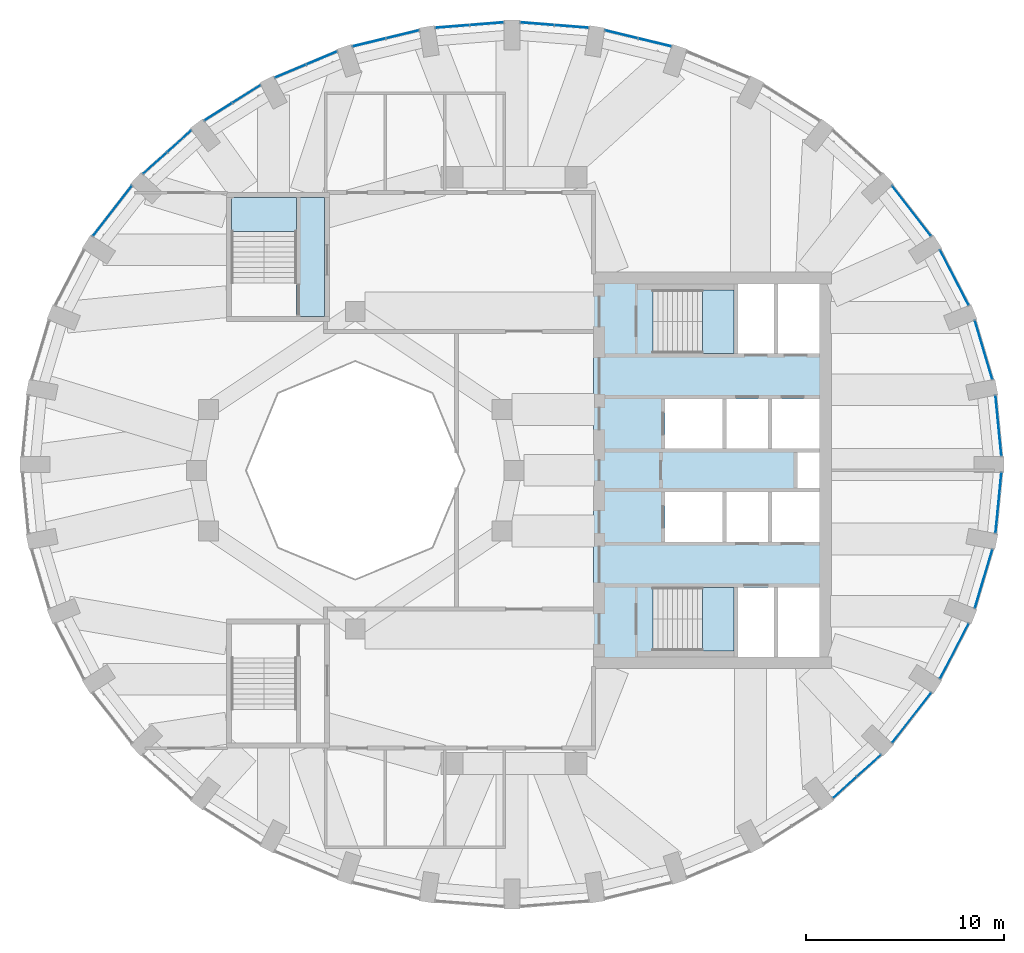
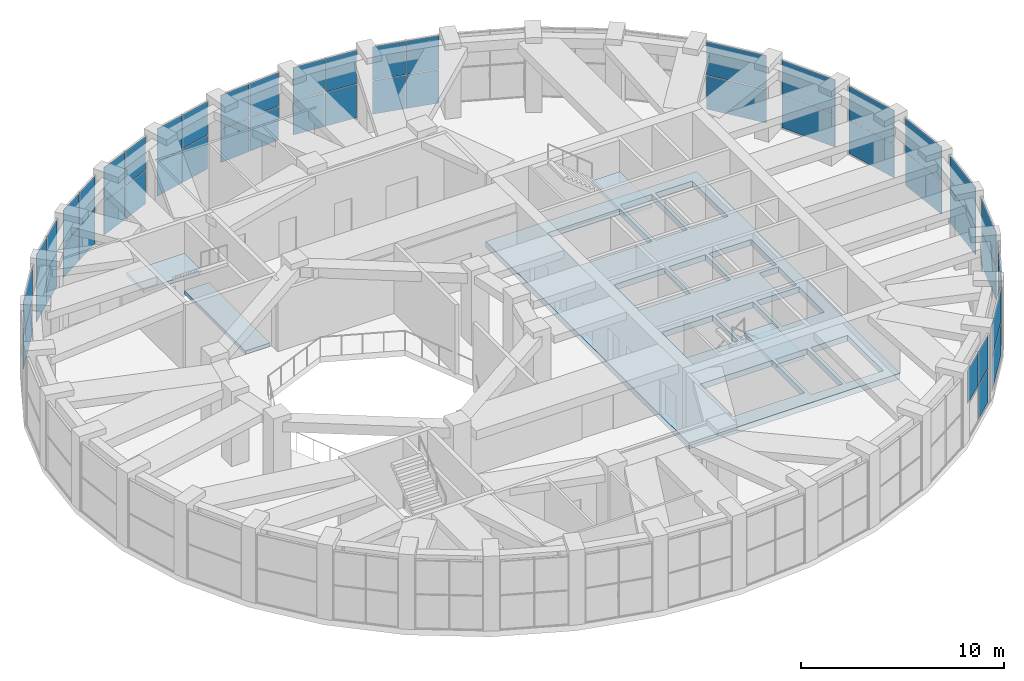
# One storey, part 12 of 17: 49 plates, 5 slabs, 20 elements without a shape of their own.
"""IFC4 building model written with IfcOpenShell, lengths in metres."""

from ifc_helpers import new_model, si_unit, direction, frame, origin, origin_2d, place, context, subcontext, project, spatial, polyline, rectangle, outline, extrude, material, layer, layer_set, type_object, element, aggregate, save


model = new_model("IFC4")

# Units and contexts
model_context = context("Model", 3, precision=1e-05, world=origin(), true_north=direction((0.0, 1.0)))
body_context = subcontext(model_context, "Body", "Model", "MODEL_VIEW")
ifc_project = project(units=[si_unit("LENGTHUNIT", "METRE"), si_unit("AREAUNIT", "SQUARE_METRE"), si_unit("VOLUMEUNIT", "CUBIC_METRE"), si_unit("PLANEANGLEUNIT", "RADIAN"), si_unit("MASSUNIT", "GRAM", prefix="KILO")], contexts=[model_context])

# Site, building, storey
site_placement = place(None, origin())
site = spatial("IfcSite", under=ifc_project, at=site_placement, CompositionType="ELEMENT")
building_placement = place(site_placement, origin())
building = spatial("IfcBuilding", under=site, at=building_placement, Name="Taillehof Tower", CompositionType="ELEMENT")
storey_placement = place(building_placement, frame((0.0, 0.0, 259.699951171875)))
storey = spatial("IfcBuildingStorey", under=building, at=storey_placement, Name="L74", CompositionType="ELEMENT", Elevation=259.699951171875)

# Curtain wall, plates
ifc_material_1 = material(Name="Aluminium curtain wall with Clear low-emissivity double glazing", Category="aluminium")
curtain_wall_type = type_object("IfcCurtainWallType", Name="Club lounge curtain wall", PredefinedType="USERDEFINED", material=ifc_material_1)
curtain_wall_1_placement = place(storey_placement, origin())
curtain_wall_1 = element("IfcCurtainWall", 1, at=curtain_wall_1_placement, inside=storey, type_object=curtain_wall_type, Name="Club lounge L74 bay 1", ObjectType="WINDOW WALL", PredefinedType="USERDEFINED")
ifc_material_2 = material(Name="Clear low-emissivity double glazing", Category="glass")
ifc_layer_1 = layer(ifc_material_2, 0.028076171875)
ifc_layer_set_1 = layer_set([ifc_layer_1], Name="Club lounge glass panel 28")
plate_type = type_object("IfcPlateType", Name="Club lounge glass panel 28", PredefinedType="CURTAIN_PANEL", material=ifc_layer_set_1)
plate_1_placement = place(storey_placement, frame((24.4208984375, 2.242919921875, 0.050048828125), z_axis=(0.0, 0.0, 1.0), x_axis=(-0.0967136211, 0.995312250248, 0.0)))
plate_1 = element("IfcPlate", 2, at=plate_1_placement, type_object=plate_type, Name="CT4E01 panel 1.1", PredefinedType="CURTAIN_PANEL", context=body_context, shape_type="SweptSolid", body=[
    extrude(rectangle(XDim=3.04052734375, YDim=0.028076171875, at=origin_2d()), origin(), (0.0, 0.0, 1.0), 2.0),
])
plate_2_placement = place(storey_placement, frame((24.4208984375, 2.242919921875, 2.10009765625), z_axis=(0.0, 0.0, 1.0), x_axis=(-0.0967136211, 0.995312250248, 0.0)))
plate_2 = element("IfcPlate", 3, at=plate_2_placement, type_object=plate_type, Name="CT4E01 panel 1.2", PredefinedType="CURTAIN_PANEL", context=body_context, shape_type="SweptSolid", body=[
    extrude(rectangle(XDim=3.04052734375, YDim=0.028076171875, at=origin_2d()), origin(), (0.0, 0.0, 1.0), 2.0),
])
aggregate(curtain_wall_1, [plate_1, plate_2])

curtain_wall_2_placement = place(storey_placement, origin())
curtain_wall_2 = element("IfcCurtainWall", 4, at=curtain_wall_2_placement, inside=storey, type_object=curtain_wall_type, Name="Club lounge L74 bay 2", ObjectType="WINDOW WALL", PredefinedType="USERDEFINED")
plate_3_placement = place(storey_placement, frame((23.671630859375, 6.068603515625, 0.050048828125), z_axis=(0.0, 0.0, 1.0), x_axis=(-0.285235558707, 0.958457446134, 0.0)))
plate_3 = element("IfcPlate", 5, at=plate_3_placement, type_object=plate_type, Name="CT4E02 panel 1.1", PredefinedType="CURTAIN_PANEL", context=body_context, shape_type="SweptSolid", body=[
    extrude(rectangle(XDim=3.06494140625, YDim=0.028076171875, at=origin_2d()), origin(), (0.0, 0.0, 1.0), 2.0),
])
plate_4_placement = place(storey_placement, frame((23.671630859375, 6.068603515625, 2.10009765625), z_axis=(0.0, 0.0, 1.0), x_axis=(-0.285235558707, 0.958457446134, 0.0)))
plate_4 = element("IfcPlate", 6, at=plate_4_placement, type_object=plate_type, Name="CT4E02 panel 1.2", PredefinedType="CURTAIN_PANEL", context=body_context, shape_type="SweptSolid", body=[
    extrude(rectangle(XDim=3.06494140625, YDim=0.028076171875, at=origin_2d()), origin(), (0.0, 0.0, 1.0), 2.0),
])
aggregate(curtain_wall_2, [plate_3, plate_4])

curtain_wall_3_placement = place(storey_placement, origin())
curtain_wall_3 = element("IfcCurtainWall", 7, at=curtain_wall_3_placement, inside=storey, type_object=curtain_wall_type, Name="Club lounge L74 bay 3", ObjectType="WINDOW WALL", PredefinedType="USERDEFINED")
plate_5_placement = place(storey_placement, frame((22.197509765625, 9.7158203125, 0.050048828125), z_axis=(0.0, 0.0, 1.0), x_axis=(-0.459891218474, 0.887975262702, 0.0)))
plate_5 = element("IfcPlate", 8, at=plate_5_placement, type_object=plate_type, Name="CT4E03 panel 1.1", PredefinedType="CURTAIN_PANEL", context=body_context, shape_type="SweptSolid", body=[
    extrude(rectangle(XDim=3.11083984375, YDim=0.028076171875, at=origin_2d()), origin(), (0.0, 0.0, 1.0), 2.0),
])
plate_6_placement = place(storey_placement, frame((22.197509765625, 9.7158203125, 2.10009765625), z_axis=(0.0, 0.0, 1.0), x_axis=(-0.459891218474, 0.887975262702, 0.0)))
plate_6 = element("IfcPlate", 9, at=plate_6_placement, type_object=plate_type, Name="CT4E03 panel 1.2", PredefinedType="CURTAIN_PANEL", context=body_context, shape_type="SweptSolid", body=[
    extrude(rectangle(XDim=3.11083984375, YDim=0.028076171875, at=origin_2d()), origin(), (0.0, 0.0, 1.0), 2.0),
])
aggregate(curtain_wall_3, [plate_5, plate_6])

curtain_wall_4_placement = place(storey_placement, origin())
curtain_wall_4 = element("IfcCurtainWall", 10, at=curtain_wall_4_placement, inside=storey, type_object=curtain_wall_type, Name="Club lounge L74 bay 4", ObjectType="WINDOW WALL", PredefinedType="USERDEFINED")
plate_7_placement = place(storey_placement, frame((20.045166015625, 13.07275390625, 0.050048828125), z_axis=(0.0, 0.0, 1.0), x_axis=(-0.613902818005, 0.789381612432, 0.0)))
plate_7 = element("IfcPlate", 11, at=plate_7_placement, type_object=plate_type, Name="CT4E04 panel 1.1", PredefinedType="CURTAIN_PANEL", context=body_context, shape_type="SweptSolid", body=[
    extrude(rectangle(XDim=3.171630859375, YDim=0.028076171875, at=origin_2d()), origin(), (0.0, 0.0, 1.0), 2.0),
])
plate_8_placement = place(storey_placement, frame((20.045166015625, 13.07275390625, 2.10009765625), z_axis=(0.0, 0.0, 1.0), x_axis=(-0.613902818005, 0.789381612432, 0.0)))
plate_8 = element("IfcPlate", 12, at=plate_8_placement, type_object=plate_type, Name="CT4E04 panel 1.2", PredefinedType="CURTAIN_PANEL", context=body_context, shape_type="SweptSolid", body=[
    extrude(rectangle(XDim=3.171630859375, YDim=0.028076171875, at=origin_2d()), origin(), (0.0, 0.0, 1.0), 2.0),
])
aggregate(curtain_wall_4, [plate_7, plate_8])

curtain_wall_5_placement = place(storey_placement, origin())
curtain_wall_5 = element("IfcCurtainWall", 13, at=curtain_wall_5_placement, inside=storey, type_object=curtain_wall_type, Name="Club lounge L74 bay 8", ObjectType="WINDOW WALL", PredefinedType="USERDEFINED")
plate_9_placement = place(storey_placement, frame((7.09619140625, 21.569091796875, 0.050048828125), z_axis=(0.0, 0.0, 1.0), x_axis=(-0.972112616855, 0.234514520129, 0.0)))
plate_9 = element("IfcPlate", 14, at=plate_9_placement, type_object=plate_type, Name="CT4E08 panel 1.1", PredefinedType="CURTAIN_PANEL", context=body_context, shape_type="SweptSolid", body=[
    extrude(rectangle(XDim=1.67919921875, YDim=0.028076171875, at=origin_2d()), origin(), (0.0, 0.0, 1.0), 2.0),
])
plate_10_placement = place(storey_placement, frame((7.09619140625, 21.569091796875, 2.10009765625), z_axis=(0.0, 0.0, 1.0), x_axis=(-0.972112616855, 0.234514520129, 0.0)))
plate_10 = element("IfcPlate", 15, at=plate_10_placement, type_object=plate_type, Name="CT4E08 panel 1.2", PredefinedType="CURTAIN_PANEL", context=body_context, shape_type="SweptSolid", body=[
    extrude(rectangle(XDim=1.67919921875, YDim=0.028076171875, at=origin_2d()), origin(), (0.0, 0.0, 1.0), 2.0),
])
plate_11_placement = place(storey_placement, frame((5.415283203125, 21.974609375, 0.050048828125), z_axis=(0.0, 0.0, 1.0), x_axis=(-0.972112616855, 0.234514520129, 0.0)))
plate_11 = element("IfcPlate", 16, at=plate_11_placement, type_object=plate_type, Name="CT4E08 panel 2.1", PredefinedType="CURTAIN_PANEL", context=body_context, shape_type="SweptSolid", body=[
    extrude(rectangle(XDim=1.67919921875, YDim=0.028076171875, at=origin_2d()), origin(), (0.0, 0.0, 1.0), 2.0),
])
plate_12_placement = place(storey_placement, frame((5.415283203125, 21.974609375, 2.10009765625), z_axis=(0.0, 0.0, 1.0), x_axis=(-0.972112616855, 0.234514520129, 0.0)))
plate_12 = element("IfcPlate", 17, at=plate_12_placement, type_object=plate_type, Name="CT4E08 panel 2.2", PredefinedType="CURTAIN_PANEL", context=body_context, shape_type="SweptSolid", body=[
    extrude(rectangle(XDim=1.67919921875, YDim=0.028076171875, at=origin_2d()), origin(), (0.0, 0.0, 1.0), 2.0),
])
aggregate(curtain_wall_5, [plate_9, plate_10, plate_11, plate_12])

curtain_wall_6_placement = place(storey_placement, origin())
curtain_wall_6 = element("IfcCurtainWall", 18, at=curtain_wall_6_placement, inside=storey, type_object=curtain_wall_type, Name="Club lounge L74 bay 9", ObjectType="WINDOW WALL", PredefinedType="USERDEFINED")
plate_13_placement = place(storey_placement, frame((2.907470703125, 22.372802734375, 0.050048828125), z_axis=(0.0, 0.0, 1.0), x_axis=(-0.996912140109, 0.078525059075, 0.0)))
plate_13 = element("IfcPlate", 19, at=plate_13_placement, type_object=plate_type, Name="CT4E09 panel 1.1", PredefinedType="CURTAIN_PANEL", context=body_context, shape_type="SweptSolid", body=[
    extrude(rectangle(XDim=1.6904296875, YDim=0.028076171875, at=origin_2d()), origin(), (0.0, 0.0, 1.0), 2.0),
])
plate_14_placement = place(storey_placement, frame((2.907470703125, 22.372802734375, 2.10009765625), z_axis=(0.0, 0.0, 1.0), x_axis=(-0.996912140109, 0.078525059075, 0.0)))
plate_14 = element("IfcPlate", 20, at=plate_14_placement, type_object=plate_type, Name="CT4E09 panel 1.2", PredefinedType="CURTAIN_PANEL", context=body_context, shape_type="SweptSolid", body=[
    extrude(rectangle(XDim=1.6904296875, YDim=0.028076171875, at=origin_2d()), origin(), (0.0, 0.0, 1.0), 2.0),
])
plate_15_placement = place(storey_placement, frame((1.172607421875, 22.509521484375, 0.050048828125), z_axis=(0.0, 0.0, 1.0), x_axis=(-0.996912140109, 0.078525059075, 0.0)))
plate_15 = element("IfcPlate", 21, at=plate_15_placement, type_object=plate_type, Name="CT4E09 panel 2.1", PredefinedType="CURTAIN_PANEL", context=body_context, shape_type="SweptSolid", body=[
    extrude(rectangle(XDim=1.6904296875, YDim=0.028076171875, at=origin_2d()), origin(), (0.0, 0.0, 1.0), 2.0),
])
plate_16_placement = place(storey_placement, frame((1.172607421875, 22.509521484375, 2.10009765625), z_axis=(0.0, 0.0, 1.0), x_axis=(-0.996912140109, 0.078525059075, 0.0)))
plate_16 = element("IfcPlate", 22, at=plate_16_placement, type_object=plate_type, Name="CT4E09 panel 2.2", PredefinedType="CURTAIN_PANEL", context=body_context, shape_type="SweptSolid", body=[
    extrude(rectangle(XDim=1.6904296875, YDim=0.028076171875, at=origin_2d()), origin(), (0.0, 0.0, 1.0), 2.0),
])
aggregate(curtain_wall_6, [plate_13, plate_14, plate_15, plate_16])

curtain_wall_7_placement = place(storey_placement, origin())
curtain_wall_7 = element("IfcCurtainWall", 23, at=curtain_wall_7_placement, inside=storey, type_object=curtain_wall_type, Name="Club lounge L74 bay 10", ObjectType="WINDOW WALL", PredefinedType="USERDEFINED")
plate_17_placement = place(storey_placement, frame((-1.37255859375, 22.509521484375, 0.050048828125), z_axis=(0.0, 0.0, 1.0), x_axis=(-0.996912140109, -0.078525059075, 0.0)))
plate_17 = element("IfcPlate", 24, at=plate_17_placement, type_object=plate_type, Name="CT4E10 panel 1.1", PredefinedType="CURTAIN_PANEL", context=body_context, shape_type="SweptSolid", body=[
    extrude(rectangle(XDim=1.6904296875, YDim=0.028076171875, at=origin_2d()), origin(), (0.0, 0.0, 1.0), 2.0),
])
plate_18_placement = place(storey_placement, frame((-1.37255859375, 22.509521484375, 2.10009765625), z_axis=(0.0, 0.0, 1.0), x_axis=(-0.996912140109, -0.078525059075, 0.0)))
plate_18 = element("IfcPlate", 25, at=plate_18_placement, type_object=plate_type, Name="CT4E10 panel 1.2", PredefinedType="CURTAIN_PANEL", context=body_context, shape_type="SweptSolid", body=[
    extrude(rectangle(XDim=1.6904296875, YDim=0.028076171875, at=origin_2d()), origin(), (0.0, 0.0, 1.0), 2.0),
])
plate_19_placement = place(storey_placement, frame((-3.107421875, 22.372802734375, 0.050048828125), z_axis=(0.0, 0.0, 1.0), x_axis=(-0.996912140109, -0.078525059075, 0.0)))
plate_19 = element("IfcPlate", 26, at=plate_19_placement, type_object=plate_type, Name="CT4E10 panel 2.1", PredefinedType="CURTAIN_PANEL", context=body_context, shape_type="SweptSolid", body=[
    extrude(rectangle(XDim=1.6904296875, YDim=0.028076171875, at=origin_2d()), origin(), (0.0, 0.0, 1.0), 2.0),
])
plate_20_placement = place(storey_placement, frame((-3.107421875, 22.372802734375, 2.10009765625), z_axis=(0.0, 0.0, 1.0), x_axis=(-0.996912140109, -0.078525059075, 0.0)))
plate_20 = element("IfcPlate", 27, at=plate_20_placement, type_object=plate_type, Name="CT4E10 panel 2.2", PredefinedType="CURTAIN_PANEL", context=body_context, shape_type="SweptSolid", body=[
    extrude(rectangle(XDim=1.6904296875, YDim=0.028076171875, at=origin_2d()), origin(), (0.0, 0.0, 1.0), 2.0),
])
aggregate(curtain_wall_7, [plate_17, plate_18, plate_19, plate_20])

curtain_wall_8_placement = place(storey_placement, origin())
curtain_wall_8 = element("IfcCurtainWall", 28, at=curtain_wall_8_placement, inside=storey, type_object=curtain_wall_type, Name="Club lounge L74 bay 11", ObjectType="WINDOW WALL", PredefinedType="USERDEFINED")
plate_21_placement = place(storey_placement, frame((-5.615234375, 21.974609375, 0.050048828125), z_axis=(0.0, 0.0, 1.0), x_axis=(-0.972112616855, -0.234514520129, 0.0)))
plate_21 = element("IfcPlate", 29, at=plate_21_placement, type_object=plate_type, Name="CT4E11 panel 1.1", PredefinedType="CURTAIN_PANEL", context=body_context, shape_type="SweptSolid", body=[
    extrude(rectangle(XDim=1.67919921875, YDim=0.028076171875, at=origin_2d()), origin(), (0.0, 0.0, 1.0), 2.0),
])
plate_22_placement = place(storey_placement, frame((-5.615234375, 21.974609375, 2.10009765625), z_axis=(0.0, 0.0, 1.0), x_axis=(-0.972112616855, -0.234514520129, 0.0)))
plate_22 = element("IfcPlate", 30, at=plate_22_placement, type_object=plate_type, Name="CT4E11 panel 1.2", PredefinedType="CURTAIN_PANEL", context=body_context, shape_type="SweptSolid", body=[
    extrude(rectangle(XDim=1.67919921875, YDim=0.028076171875, at=origin_2d()), origin(), (0.0, 0.0, 1.0), 2.0),
])
plate_23_placement = place(storey_placement, frame((-7.296142578125, 21.569091796875, 0.050048828125), z_axis=(0.0, 0.0, 1.0), x_axis=(-0.972112616855, -0.234514520129, 0.0)))
plate_23 = element("IfcPlate", 31, at=plate_23_placement, type_object=plate_type, Name="CT4E11 panel 2.1", PredefinedType="CURTAIN_PANEL", context=body_context, shape_type="SweptSolid", body=[
    extrude(rectangle(XDim=1.67919921875, YDim=0.028076171875, at=origin_2d()), origin(), (0.0, 0.0, 1.0), 2.0),
])
plate_24_placement = place(storey_placement, frame((-7.296142578125, 21.569091796875, 2.10009765625), z_axis=(0.0, 0.0, 1.0), x_axis=(-0.972112616855, -0.234514520129, 0.0)))
plate_24 = element("IfcPlate", 32, at=plate_24_placement, type_object=plate_type, Name="CT4E11 panel 2.2", PredefinedType="CURTAIN_PANEL", context=body_context, shape_type="SweptSolid", body=[
    extrude(rectangle(XDim=1.67919921875, YDim=0.028076171875, at=origin_2d()), origin(), (0.0, 0.0, 1.0), 2.0),
])
aggregate(curtain_wall_8, [plate_21, plate_22, plate_23, plate_24])

curtain_wall_9_placement = place(storey_placement, origin())
curtain_wall_9 = element("IfcCurtainWall", 33, at=curtain_wall_9_placement, inside=storey, type_object=curtain_wall_type, Name="Club lounge L74 bay 12", ObjectType="WINDOW WALL", PredefinedType="USERDEFINED")
plate_25_placement = place(storey_placement, frame((-9.693603515625, 20.783203125, 0.050048828125), z_axis=(0.0, 0.0, 1.0), x_axis=(-0.922037438233, -0.387100713636, 0.0)))
plate_25 = element("IfcPlate", 34, at=plate_25_placement, type_object=plate_type, Name="CT4E12 panel 1.1", PredefinedType="CURTAIN_PANEL", context=body_context, shape_type="SweptSolid", body=[
    extrude(rectangle(XDim=1.65771484375, YDim=0.028076171875, at=origin_2d()), origin(), (0.0, 0.0, 1.0), 2.0),
])
plate_26_placement = place(storey_placement, frame((-9.693603515625, 20.783203125, 2.10009765625), z_axis=(0.0, 0.0, 1.0), x_axis=(-0.922037438233, -0.387100713636, 0.0)))
plate_26 = element("IfcPlate", 35, at=plate_26_placement, type_object=plate_type, Name="CT4E12 panel 1.2", PredefinedType="CURTAIN_PANEL", context=body_context, shape_type="SweptSolid", body=[
    extrude(rectangle(XDim=1.65771484375, YDim=0.028076171875, at=origin_2d()), origin(), (0.0, 0.0, 1.0), 2.0),
])
plate_27_placement = place(storey_placement, frame((-11.26806640625, 20.122314453125, 0.050048828125), z_axis=(0.0, 0.0, 1.0), x_axis=(-0.922037438233, -0.387100713636, 0.0)))
plate_27 = element("IfcPlate", 36, at=plate_27_placement, type_object=plate_type, Name="CT4E12 panel 2.1", PredefinedType="CURTAIN_PANEL", context=body_context, shape_type="SweptSolid", body=[
    extrude(rectangle(XDim=1.65771484375, YDim=0.028076171875, at=origin_2d()), origin(), (0.0, 0.0, 1.0), 2.0),
])
plate_28_placement = place(storey_placement, frame((-11.26806640625, 20.122314453125, 2.10009765625), z_axis=(0.0, 0.0, 1.0), x_axis=(-0.922037438233, -0.387100713636, 0.0)))
plate_28 = element("IfcPlate", 37, at=plate_28_placement, type_object=plate_type, Name="CT4E12 panel 2.2", PredefinedType="CURTAIN_PANEL", context=body_context, shape_type="SweptSolid", body=[
    extrude(rectangle(XDim=1.65771484375, YDim=0.028076171875, at=origin_2d()), origin(), (0.0, 0.0, 1.0), 2.0),
])
aggregate(curtain_wall_9, [plate_25, plate_26, plate_27, plate_28])

curtain_wall_10_placement = place(storey_placement, origin())
curtain_wall_10 = element("IfcCurtainWall", 38, at=curtain_wall_10_placement, inside=storey, type_object=curtain_wall_type, Name="Club lounge L74 bay 13", ObjectType="WINDOW WALL", PredefinedType="USERDEFINED")
plate_29_placement = place(storey_placement, frame((-13.483642578125, 18.97021484375, 0.050048828125), z_axis=(0.0, 0.0, 1.0), x_axis=(-0.845929695916, -0.533294430468, 0.0)))
plate_29 = element("IfcPlate", 39, at=plate_29_placement, type_object=plate_type, Name="CT4E13 panel 1.1", PredefinedType="CURTAIN_PANEL", context=body_context, shape_type="SweptSolid", body=[
    extrude(rectangle(XDim=1.628662109375, YDim=0.028076171875, at=origin_2d()), origin(), (0.0, 0.0, 1.0), 2.0),
])
plate_30_placement = place(storey_placement, frame((-13.483642578125, 18.97021484375, 2.10009765625), z_axis=(0.0, 0.0, 1.0), x_axis=(-0.845929695916, -0.533294430468, 0.0)))
plate_30 = element("IfcPlate", 40, at=plate_30_placement, type_object=plate_type, Name="CT4E13 panel 1.2", PredefinedType="CURTAIN_PANEL", context=body_context, shape_type="SweptSolid", body=[
    extrude(rectangle(XDim=1.628662109375, YDim=0.028076171875, at=origin_2d()), origin(), (0.0, 0.0, 1.0), 2.0),
])
plate_31_placement = place(storey_placement, frame((-14.903564453125, 18.074951171875, 0.050048828125), z_axis=(0.0, 0.0, 1.0), x_axis=(-0.845929695916, -0.533294430468, 0.0)))
plate_31 = element("IfcPlate", 41, at=plate_31_placement, type_object=plate_type, Name="CT4E13 panel 2.1", PredefinedType="CURTAIN_PANEL", context=body_context, shape_type="SweptSolid", body=[
    extrude(rectangle(XDim=1.628662109375, YDim=0.028076171875, at=origin_2d()), origin(), (0.0, 0.0, 1.0), 2.0),
])
plate_32_placement = place(storey_placement, frame((-14.903564453125, 18.074951171875, 2.10009765625), z_axis=(0.0, 0.0, 1.0), x_axis=(-0.845929695916, -0.533294430468, 0.0)))
plate_32 = element("IfcPlate", 42, at=plate_32_placement, type_object=plate_type, Name="CT4E13 panel 2.2", PredefinedType="CURTAIN_PANEL", context=body_context, shape_type="SweptSolid", body=[
    extrude(rectangle(XDim=1.628662109375, YDim=0.028076171875, at=origin_2d()), origin(), (0.0, 0.0, 1.0), 2.0),
])
aggregate(curtain_wall_10, [plate_29, plate_30, plate_31, plate_32])

curtain_wall_11_placement = place(storey_placement, origin())
curtain_wall_11 = element("IfcCurtainWall", 43, at=curtain_wall_11_placement, inside=storey, type_object=curtain_wall_type, Name="Club lounge L74 bay 14", ObjectType="WINDOW WALL", PredefinedType="USERDEFINED")
plate_33_placement = place(storey_placement, frame((-16.870849609375, 16.58837890625, 0.050048828125), z_axis=(0.0, 0.0, 1.0), x_axis=(-0.74316593792, -0.669107157872, 0.0)))
plate_33 = element("IfcPlate", 44, at=plate_33_placement, type_object=plate_type, Name="CT4E14 panel 1.1", PredefinedType="CURTAIN_PANEL", context=body_context, shape_type="SweptSolid", body=[
    extrude(rectangle(XDim=1.594970703125, YDim=0.028076171875, at=origin_2d()), origin(), (0.0, 0.0, 1.0), 2.0),
])
plate_34_placement = place(storey_placement, frame((-16.870849609375, 16.58837890625, 2.10009765625), z_axis=(0.0, 0.0, 1.0), x_axis=(-0.74316593792, -0.669107157872, 0.0)))
plate_34 = element("IfcPlate", 45, at=plate_34_placement, type_object=plate_type, Name="CT4E14 panel 1.2", PredefinedType="CURTAIN_PANEL", context=body_context, shape_type="SweptSolid", body=[
    extrude(rectangle(XDim=1.594970703125, YDim=0.028076171875, at=origin_2d()), origin(), (0.0, 0.0, 1.0), 2.0),
])
plate_35_placement = place(storey_placement, frame((-18.09326171875, 15.48779296875, 0.050048828125), z_axis=(0.0, 0.0, 1.0), x_axis=(-0.74316593792, -0.669107157872, 0.0)))
plate_35 = element("IfcPlate", 46, at=plate_35_placement, type_object=plate_type, Name="CT4E14 panel 2.1", PredefinedType="CURTAIN_PANEL", context=body_context, shape_type="SweptSolid", body=[
    extrude(rectangle(XDim=1.594970703125, YDim=0.028076171875, at=origin_2d()), origin(), (0.0, 0.0, 1.0), 2.0),
])
plate_36_placement = place(storey_placement, frame((-18.09326171875, 15.48779296875, 2.10009765625), z_axis=(0.0, 0.0, 1.0), x_axis=(-0.74316593792, -0.669107157872, 0.0)))
plate_36 = element("IfcPlate", 47, at=plate_36_placement, type_object=plate_type, Name="CT4E14 panel 2.2", PredefinedType="CURTAIN_PANEL", context=body_context, shape_type="SweptSolid", body=[
    extrude(rectangle(XDim=1.594970703125, YDim=0.028076171875, at=origin_2d()), origin(), (0.0, 0.0, 1.0), 2.0),
])
aggregate(curtain_wall_11, [plate_33, plate_34, plate_35, plate_36])

curtain_wall_12_placement = place(storey_placement, origin())
curtain_wall_12 = element("IfcCurtainWall", 48, at=curtain_wall_12_placement, inside=storey, type_object=curtain_wall_type, Name="Club lounge L74 bay 15", ObjectType="WINDOW WALL", PredefinedType="USERDEFINED")
plate_37_placement = place(storey_placement, frame((-20.2451171875, 13.07275390625, 0.050048828125), z_axis=(0.0, 0.0, 1.0), x_axis=(-0.613902818005, -0.789381612432, 0.0)))
plate_37 = element("IfcPlate", 49, at=plate_37_placement, type_object=plate_type, Name="CT4E15 panel 1.1", PredefinedType="CURTAIN_PANEL", context=body_context, shape_type="SweptSolid", body=[
    extrude(rectangle(XDim=3.171630859375, YDim=0.028076171875, at=origin_2d()), origin(), (0.0, 0.0, 1.0), 2.0),
])
plate_38_placement = place(storey_placement, frame((-20.2451171875, 13.07275390625, 2.10009765625), z_axis=(0.0, 0.0, 1.0), x_axis=(-0.613902818005, -0.789381612432, 0.0)))
plate_38 = element("IfcPlate", 50, at=plate_38_placement, type_object=plate_type, Name="CT4E15 panel 1.2", PredefinedType="CURTAIN_PANEL", context=body_context, shape_type="SweptSolid", body=[
    extrude(rectangle(XDim=3.171630859375, YDim=0.028076171875, at=origin_2d()), origin(), (0.0, 0.0, 1.0), 2.0),
])
aggregate(curtain_wall_12, [plate_37, plate_38])

curtain_wall_13_placement = place(storey_placement, origin())
curtain_wall_13 = element("IfcCurtainWall", 51, at=curtain_wall_13_placement, inside=storey, type_object=curtain_wall_type, Name="Club lounge L74 bay 32", ObjectType="WINDOW WALL", PredefinedType="USERDEFINED")
plate_39_placement = place(storey_placement, frame((16.6708984375, -15.98828125, 2.10009765625), z_axis=(0.0, 0.0, 1.0), x_axis=(0.74316593792, 0.669107157872, 0.0)))
plate_39 = element("IfcPlate", 52, at=plate_39_placement, type_object=plate_type, Name="CT4E32 panel 1.2", PredefinedType="CURTAIN_PANEL", context=body_context, shape_type="SweptSolid", body=[
    extrude(rectangle(XDim=1.594970703125, YDim=0.028076171875, at=origin_2d()), origin(), (0.0, 0.0, 1.0), 2.0),
])
plate_40_placement = place(storey_placement, frame((17.893310546875, -14.8876953125, 0.050048828125), z_axis=(0.0, 0.0, 1.0), x_axis=(0.74316593792, 0.669107157872, 0.0)))
plate_40 = element("IfcPlate", 53, at=plate_40_placement, type_object=plate_type, Name="CT4E32 panel 2.1", PredefinedType="CURTAIN_PANEL", context=body_context, shape_type="SweptSolid", body=[
    extrude(rectangle(XDim=1.594970703125, YDim=0.028076171875, at=origin_2d()), origin(), (0.0, 0.0, 1.0), 2.0),
])
plate_41_placement = place(storey_placement, frame((17.893310546875, -14.8876953125, 2.10009765625), z_axis=(0.0, 0.0, 1.0), x_axis=(0.74316593792, 0.669107157872, 0.0)))
plate_41 = element("IfcPlate", 54, at=plate_41_placement, type_object=plate_type, Name="CT4E32 panel 2.2", PredefinedType="CURTAIN_PANEL", context=body_context, shape_type="SweptSolid", body=[
    extrude(rectangle(XDim=1.594970703125, YDim=0.028076171875, at=origin_2d()), origin(), (0.0, 0.0, 1.0), 2.0),
])
aggregate(curtain_wall_13, [plate_39, plate_40, plate_41])

curtain_wall_14_placement = place(storey_placement, origin())
curtain_wall_14 = element("IfcCurtainWall", 55, at=curtain_wall_14_placement, inside=storey, type_object=curtain_wall_type, Name="Club lounge L74 bay 33", ObjectType="WINDOW WALL", PredefinedType="USERDEFINED")
plate_42_placement = place(storey_placement, frame((20.045166015625, -12.472900390625, 0.050048828125), z_axis=(0.0, 0.0, 1.0), x_axis=(0.613902818005, 0.789381612432, 0.0)))
plate_42 = element("IfcPlate", 56, at=plate_42_placement, type_object=plate_type, Name="CT4E33 panel 1.1", PredefinedType="CURTAIN_PANEL", context=body_context, shape_type="SweptSolid", body=[
    extrude(rectangle(XDim=3.171630859375, YDim=0.028076171875, at=origin_2d()), origin(), (0.0, 0.0, 1.0), 2.0),
])
plate_43_placement = place(storey_placement, frame((20.045166015625, -12.472900390625, 2.10009765625), z_axis=(0.0, 0.0, 1.0), x_axis=(0.613902818005, 0.789381612432, 0.0)))
plate_43 = element("IfcPlate", 57, at=plate_43_placement, type_object=plate_type, Name="CT4E33 panel 1.2", PredefinedType="CURTAIN_PANEL", context=body_context, shape_type="SweptSolid", body=[
    extrude(rectangle(XDim=3.171630859375, YDim=0.028076171875, at=origin_2d()), origin(), (0.0, 0.0, 1.0), 2.0),
])
aggregate(curtain_wall_14, [plate_42, plate_43])

curtain_wall_15_placement = place(storey_placement, origin())
curtain_wall_15 = element("IfcCurtainWall", 58, at=curtain_wall_15_placement, inside=storey, type_object=curtain_wall_type, Name="Club lounge L74 bay 34", ObjectType="WINDOW WALL", PredefinedType="USERDEFINED")
plate_44_placement = place(storey_placement, frame((22.197509765625, -9.11572265625, 0.050048828125), z_axis=(0.0, 0.0, 1.0), x_axis=(0.459891218474, 0.887975262702, 0.0)))
plate_44 = element("IfcPlate", 59, at=plate_44_placement, type_object=plate_type, Name="CT4E34 panel 1.1", PredefinedType="CURTAIN_PANEL", context=body_context, shape_type="SweptSolid", body=[
    extrude(rectangle(XDim=3.11083984375, YDim=0.028076171875, at=origin_2d()), origin(), (0.0, 0.0, 1.0), 2.0),
])
plate_45_placement = place(storey_placement, frame((22.197509765625, -9.11572265625, 2.10009765625), z_axis=(0.0, 0.0, 1.0), x_axis=(0.459891218474, 0.887975262702, 0.0)))
plate_45 = element("IfcPlate", 60, at=plate_45_placement, type_object=plate_type, Name="CT4E34 panel 1.2", PredefinedType="CURTAIN_PANEL", context=body_context, shape_type="SweptSolid", body=[
    extrude(rectangle(XDim=3.11083984375, YDim=0.028076171875, at=origin_2d()), origin(), (0.0, 0.0, 1.0), 2.0),
])
aggregate(curtain_wall_15, [plate_44, plate_45])

curtain_wall_16_placement = place(storey_placement, origin())
curtain_wall_16 = element("IfcCurtainWall", 61, at=curtain_wall_16_placement, inside=storey, type_object=curtain_wall_type, Name="Club lounge L74 bay 35", ObjectType="WINDOW WALL", PredefinedType="USERDEFINED")
plate_46_placement = place(storey_placement, frame((23.671630859375, -5.468505859375, 0.050048828125), z_axis=(0.0, 0.0, 1.0), x_axis=(0.285235558707, 0.958457446134, 0.0)))
plate_46 = element("IfcPlate", 62, at=plate_46_placement, type_object=plate_type, Name="CT4E35 panel 1.1", PredefinedType="CURTAIN_PANEL", context=body_context, shape_type="SweptSolid", body=[
    extrude(rectangle(XDim=3.06494140625, YDim=0.028076171875, at=origin_2d()), origin(), (0.0, 0.0, 1.0), 2.0),
])
plate_47_placement = place(storey_placement, frame((23.671630859375, -5.468505859375, 2.10009765625), z_axis=(0.0, 0.0, 1.0), x_axis=(0.285235558707, 0.958457446134, 0.0)))
plate_47 = element("IfcPlate", 63, at=plate_47_placement, type_object=plate_type, Name="CT4E35 panel 1.2", PredefinedType="CURTAIN_PANEL", context=body_context, shape_type="SweptSolid", body=[
    extrude(rectangle(XDim=3.06494140625, YDim=0.028076171875, at=origin_2d()), origin(), (0.0, 0.0, 1.0), 2.0),
])
aggregate(curtain_wall_16, [plate_46, plate_47])

curtain_wall_17_placement = place(storey_placement, origin())
curtain_wall_17 = element("IfcCurtainWall", 64, at=curtain_wall_17_placement, inside=storey, type_object=curtain_wall_type, Name="Club lounge L74 bay 36", ObjectType="WINDOW WALL", PredefinedType="USERDEFINED")
plate_48_placement = place(storey_placement, frame((24.4208984375, -1.64306640625, 0.050048828125), z_axis=(0.0, 0.0, 1.0), x_axis=(0.0967136211, 0.995312250248, 0.0)))
plate_48 = element("IfcPlate", 65, at=plate_48_placement, type_object=plate_type, Name="CT4E36 panel 1.1", PredefinedType="CURTAIN_PANEL", context=body_context, shape_type="SweptSolid", body=[
    extrude(rectangle(XDim=3.04052734375, YDim=0.028076171875, at=origin_2d()), origin(), (0.0, 0.0, 1.0), 2.0),
])
plate_49_placement = place(storey_placement, frame((24.4208984375, -1.64306640625, 2.10009765625), z_axis=(0.0, 0.0, 1.0), x_axis=(0.0967136211, 0.995312250248, 0.0)))
plate_49 = element("IfcPlate", 66, at=plate_49_placement, type_object=plate_type, Name="CT4E36 panel 1.2", PredefinedType="CURTAIN_PANEL", context=body_context, shape_type="SweptSolid", body=[
    extrude(rectangle(XDim=3.04052734375, YDim=0.028076171875, at=origin_2d()), origin(), (0.0, 0.0, 1.0), 2.0),
])
aggregate(curtain_wall_17, [plate_48, plate_49])

# Slab
ifc_material_3 = material(Name="Concrete C40/50", Category="concrete")
ifc_layer_2 = layer(ifc_material_3, 0.35009765625)
ifc_layer_set_2 = layer_set([ifc_layer_2], Name="Core floor slab C40/50 350")
slab_type_1 = type_object("IfcSlabType", Name="Core floor slab C40/50 350", PredefinedType="FLOOR", material=ifc_layer_set_2)
slab_1_placement = place(storey_placement, frame((0.0, 0.0, -0.349853515625)))
element("IfcSlab", 67, at=slab_1_placement, inside=storey, type_object=slab_type_1, Name="Core floor L74", PredefinedType="FLOOR", context=body_context, shape_type="SweptSolid", body=[
    extrude(outline(polyline([(4.0, -10.0), (4.0, 10.0), (16.0, 10.0), (16.0, -10.0), (4.0, -10.0)]), holes=[polyline([(11.10009765625, -9.10009765625), (11.10009765625, -5.89990234375), (7.00048828125, -5.89990234375), (7.00048828125, -9.10009765625), (11.10009765625, -9.10009765625)]), polyline([(10.5, -3.60009765625), (10.5, -1.10009765625), (7.60009765625, -1.10009765625), (7.60009765625, -3.60009765625), (10.5, -3.60009765625)]), polyline([(12.800048828125, -3.60009765625), (12.800048828125, -1.10009765625), (10.699951171875, -1.10009765625), (10.699951171875, -3.60009765625), (12.800048828125, -3.60009765625)]), polyline([(10.5, 3.60009765625), (7.60009765625, 3.60009765625), (7.60009765625, 1.10009765625), (10.5, 1.10009765625), (10.5, 3.60009765625)]), polyline([(12.800048828125, 1.10009765625), (12.800048828125, 3.60009765625), (10.699951171875, 3.60009765625), (10.699951171875, 1.10009765625), (12.800048828125, 1.10009765625)]), polyline([(11.10009765625, 5.89990234375), (11.10009765625, 9.10009765625), (7.00048828125, 9.10009765625), (7.00048828125, 5.89990234375), (11.10009765625, 5.89990234375)]), polyline([(13.10009765625, 9.39990234375), (11.300048828125, 9.39990234375), (11.300048828125, 5.89990234375), (13.10009765625, 5.89990234375), (13.10009765625, 9.39990234375)]), polyline([(13.10009765625, -9.39990234375), (13.10009765625, -5.89990234375), (11.300048828125, -5.89990234375), (11.300048828125, -9.39990234375), (13.10009765625, -9.39990234375)]), polyline([(15.39990234375, -9.39990234375), (15.39990234375, -5.89990234375), (13.300048828125, -5.89990234375), (13.300048828125, -9.39990234375), (15.39990234375, -9.39990234375)]), polyline([(15.39990234375, -3.60009765625), (15.39990234375, -1.10009765625), (13.0, -1.10009765625), (13.0, -3.60009765625), (15.39990234375, -3.60009765625)]), polyline([(15.39990234375, -0.89990234375), (15.39990234375, 0.89990234375), (14.300048828125, 0.89990234375), (14.300048828125, -0.89990234375), (15.39990234375, -0.89990234375)]), polyline([(15.39990234375, 1.10009765625), (15.39990234375, 3.60009765625), (13.0, 3.60009765625), (13.0, 1.10009765625), (15.39990234375, 1.10009765625)]), polyline([(15.39990234375, 5.89990234375), (15.39990234375, 9.39990234375), (13.300048828125, 9.39990234375), (13.300048828125, 5.89990234375), (15.39990234375, 5.89990234375)])]), origin(), (0.0, 0.0, 1.0), 0.349853515625),
])

# Stair, slab
ifc_material_4 = material(Name="Concrete C40/50", Category="concrete")
stair_type = type_object("IfcStairType", Name="Exit stair half-turn", PredefinedType="HALF_TURN_STAIR", material=ifc_material_4)
stair_1_placement = place(storey_placement, origin())
stair_1 = element("IfcStair", 68, at=stair_1_placement, inside=storey, type_object=stair_type, Name="Exit stair S1", PredefinedType="HALF_TURN_STAIR")
ifc_material_5 = material(Name="Concrete C40/50", Category="concrete")
ifc_layer_3 = layer(ifc_material_5, 0.2099609375)
ifc_layer_set_3 = layer_set([ifc_layer_3], Name="Stair landing C40/50 210")
slab_type_2 = type_object("IfcSlabType", Name="Stair landing C40/50 210", PredefinedType="LANDING", material=ifc_layer_set_3)
slab_2_placement = place(storey_placement, frame((0.0, 0.0, 2.0400390625)))
slab_2 = element("IfcSlab", 69, at=slab_2_placement, type_object=slab_type_2, Name="S1 landing 1", PredefinedType="LANDING", context=body_context, shape_type="SweptSolid", body=[
    extrude(outline(polyline([(9.5, 5.89990234375), (11.10009765625, 5.89990234375), (11.10009765625, 9.10009765625), (9.5, 9.10009765625), (9.5, 5.89990234375)])), origin(), (0.0, 0.0, 1.0), 0.2099609375),
])
aggregate(stair_1, [slab_2])

stair_2_placement = place(storey_placement, origin())
stair_2 = element("IfcStair", 70, at=stair_2_placement, inside=storey, type_object=stair_type, Name="Exit stair S2", PredefinedType="HALF_TURN_STAIR")
slab_3_placement = place(storey_placement, frame((0.0, 0.0, 2.0400390625)))
slab_3 = element("IfcSlab", 71, at=slab_3_placement, type_object=slab_type_2, Name="S2 landing 1", PredefinedType="LANDING", context=body_context, shape_type="SweptSolid", body=[
    extrude(outline(polyline([(9.5, -5.89990234375), (11.10009765625, -5.89990234375), (11.10009765625, -9.10009765625), (9.5, -9.10009765625), (9.5, -5.89990234375)])), origin(), (0.0, 0.0, 1.0), 0.2099609375),
])
aggregate(stair_2, [slab_3])

stair_3_placement = place(storey_placement, origin())
stair_3 = element("IfcStair", 72, at=stair_3_placement, inside=storey, type_object=stair_type, Name="Exit stair S3", PredefinedType="HALF_TURN_STAIR")
slab_4_placement = place(storey_placement, frame((0.0, 0.0, 2.0400390625)))
slab_4 = element("IfcSlab", 73, at=slab_4_placement, type_object=slab_type_2, Name="S3 landing 1", PredefinedType="LANDING", context=body_context, shape_type="SweptSolid", body=[
    extrude(outline(polyline([(-14.25, 12.050048828125), (-14.25, 13.75), (-10.949951171875, 13.75), (-10.949951171875, 12.050048828125), (-14.25, 12.050048828125)])), origin(), (0.0, 0.0, 1.0), 0.2099609375),
])
aggregate(stair_3, [slab_4])

# Slab
slab_5_placement = place(storey_placement, frame((0.0, 0.0, -0.2099609375)))
element("IfcSlab", 74, at=slab_5_placement, inside=storey, type_object=slab_type_2, Name="Stair lobby S3 floor", PredefinedType="LANDING", context=body_context, shape_type="SweptSolid", body=[
    extrude(outline(polyline([(-10.949951171875, 7.75), (-9.550048828125, 7.75), (-9.550048828125, 13.75), (-10.949951171875, 13.75), (-10.949951171875, 7.75)])), origin(), (0.0, 0.0, 1.0), 0.2099609375),
])

save(model, "model.ifc")
